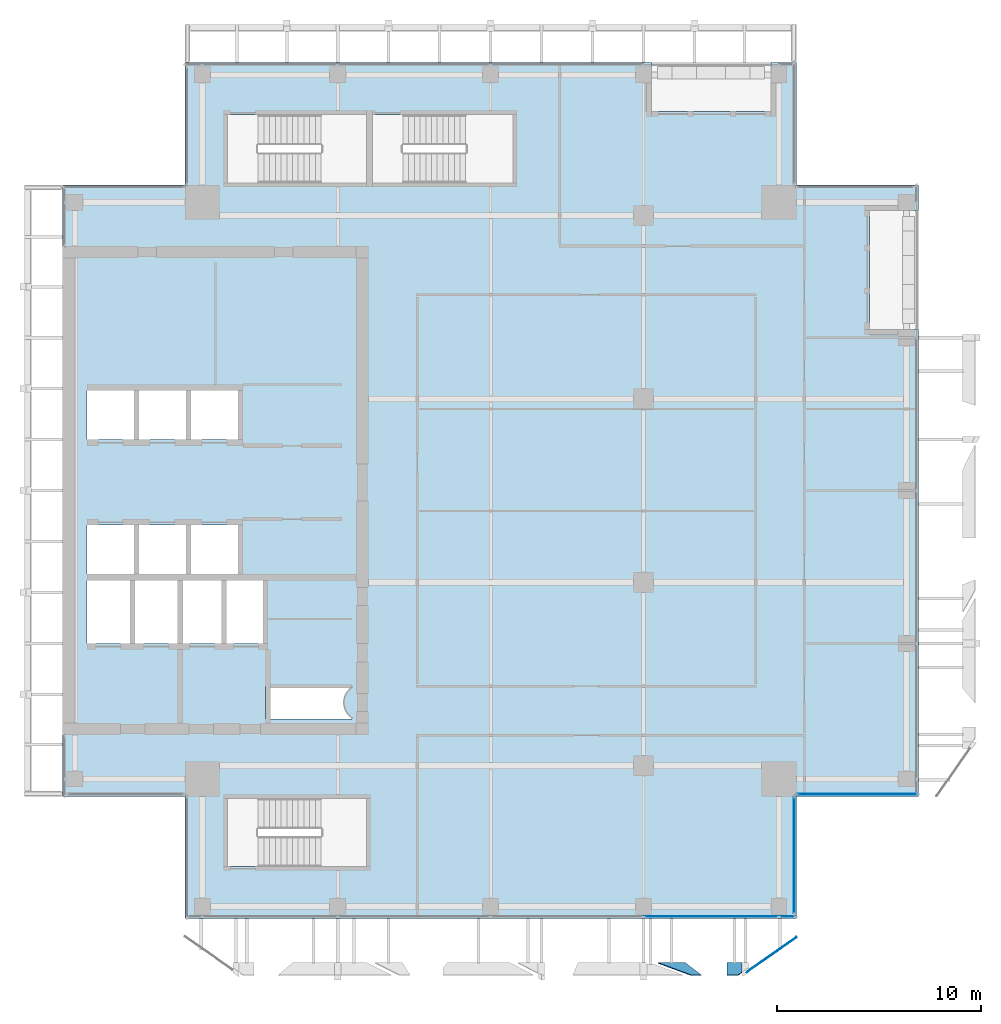
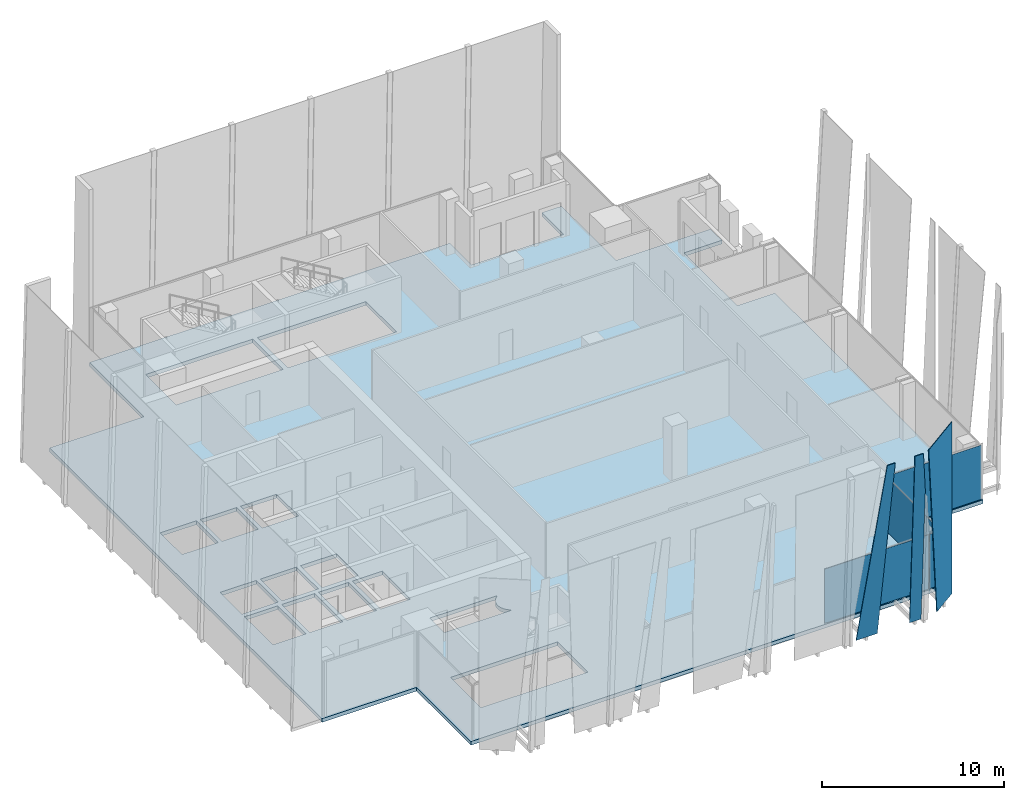
# One storey, part 22 of 32: 7 plates, 1 slab, 3 elements without a shape of their own.
"""IFC4 building model written with IfcOpenShell, lengths in metres."""

from ifc_helpers import new_model, si_unit, direction, frame, origin, origin_2d, place, context, subcontext, project, spatial, polyline, rectangle, outline, extrude, source, transform, mapped, material, layer, layer_set, type_object, element, aggregate, save


model = new_model("IFC4")

# Units and contexts
model_context = context("Model", 3, precision=1e-05, world=origin(), true_north=direction((0.0, 1.0)))
body_context = subcontext(model_context, "Body", "Model", "MODEL_VIEW")
ifc_project = project(units=[si_unit("LENGTHUNIT", "METRE"), si_unit("AREAUNIT", "SQUARE_METRE"), si_unit("VOLUMEUNIT", "CUBIC_METRE"), si_unit("PLANEANGLEUNIT", "RADIAN"), si_unit("MASSUNIT", "GRAM", prefix="KILO")], contexts=[model_context])

# Site, building, storey
site_placement = place(None, origin())
site = spatial("IfcSite", under=ifc_project, at=site_placement, CompositionType="ELEMENT")
building_placement = place(site_placement, origin())
building = spatial("IfcBuilding", under=site, at=building_placement, Name="Khomas Fold Tower", CompositionType="ELEMENT")
storey_placement = place(building_placement, frame((0.0, 0.0, 306.199951171875)))
storey = spatial("IfcBuildingStorey", under=building, at=storey_placement, Name="L69", CompositionType="ELEMENT", Elevation=306.199951171875)

# Plates
ifc_material_1 = material(Name="Clear laminated glass", Category="glass")
ifc_layer_1 = layer(ifc_material_1, 0.0400390625)
ifc_layer_set_1 = layer_set([ifc_layer_1], Name="Clear laminated glass")
plate_type_1 = type_object("IfcPlateType", Name="SK-Clear laminated glass leaf", PredefinedType="SHEET", material=ifc_layer_set_1)
plate_1_placement = place(storey_placement, frame((36.549560546875, 3.84228515625, 0.0), z_axis=(0.0, 0.99862882819, 0.052349436554), x_axis=(-1.0, 0.0, 0.0)))
element("IfcPlate", 1, at=plate_1_placement, inside=storey, type_object=plate_type_1, Name="OUTER SKIN glass L69 SG103-11", PredefinedType="SHEET", context=body_context, shape_type="SweptSolid", body=[
    extrude(outline(polyline([(0.0, 0.0), (1.34765625, 0.0), (-0.28857421875, 11.565907674683308), (-0.7939453125, 11.565907674683308), (0.0, 0.0)])), origin(), (0.0, 0.0, -1.0), 0.0400390625),
])
plate_2_placement = place(storey_placement, frame((39.330078125, 3.37451171875, 8.92578125), z_axis=(-9.0146168e-05, 0.99862890442, 0.052347904736), x_axis=(-1.148e-09, 0.052347904948, -0.998628908478)))
element("IfcPlate", 2, at=plate_2_placement, inside=storey, type_object=plate_type_1, Name="OUTER SKIN glass L69 SG103-15", PredefinedType="SHEET", context=body_context, shape_type="SweptSolid", body=[
    extrude(outline(polyline([(0.0, 0.0), (8.93803014644253, 6.776263578034403e-21), (8.938030147280891, 0.7299804657839682), (-2.6278775273888146, 0.7299804806661305), (-2.627877528001182, 0.19677735783262326), (0.0, 0.0)])), origin(), (0.0, 0.0, -1.0), 0.0400390625),
])
plate_3_placement = place(storey_placement, frame((40.423583984375, 3.949462890625, 0.0), z_axis=(0.572778226267, -0.819710377789, 7.693023e-06), x_axis=(-0.074700933915, -0.052188441883, 0.995839413262)))
element("IfcPlate", 3, at=plate_3_placement, inside=storey, type_object=plate_type_1, Name="OUTER SKIN glass L69 SG104-17", PredefinedType="SHEET", context=body_context, shape_type="SweptSolid", body=[
    extrude(outline(polyline([(0.0, 0.0), (11.598304581031584, 0.0), (11.32419001391444, -2.995582875794355), (-0.17780383423311374, -1.9430785093652352), (0.0, 0.0)])), origin(), (0.0, 0.0, -1.0), 0.0400390625),
])

# Slab
ifc_material_2 = material(Name="Concrete C40/50", Category="concrete")
ifc_layer_2 = layer(ifc_material_2, 0.25)
ifc_layer_set_2 = layer_set([ifc_layer_2], Name="Concrete C40/50")
slab_type = type_object("IfcSlabType", Name="RC floor slab 250", PredefinedType="FLOOR", material=ifc_layer_set_2)
shared_shape_1 = source(origin(), body_context, "Body", "SweptSolid", [
    extrude(outline(polyline([(6.0, 12.0), (12.0, 12.0), (12.0, 6.0), (42.0, 6.0), (42.0, 12.0), (48.0, 12.0), (48.0, 34.89990234375), (45.60009765625, 34.89990234375), (45.60009765625, 40.75), (48.0, 40.75), (48.0, 42.0), (42.0, 42.0), (42.0, 48.0), (40.75, 48.0), (40.75, 45.60009765625), (34.89990234375, 45.60009765625), (34.89990234375, 48.0), (12.0, 48.0), (12.0, 42.0), (6.0, 42.0), (6.0, 12.0)]), holes=[polyline([(7.199951171875, 19.5), (7.199951171875, 22.60009765625), (9.300048828125, 22.60009765625), (9.300048828125, 19.5), (7.199951171875, 19.5)]), polyline([(7.199951171875, 22.89990234375), (7.199951171875, 25.300048828125), (9.5, 25.300048828125), (9.5, 22.89990234375), (7.199951171875, 22.89990234375)]), polyline([(7.199951171875, 29.5), (7.199951171875, 31.89990234375), (9.5, 31.89990234375), (9.5, 29.5), (7.199951171875, 29.5)]), polyline([(9.550048828125, 19.5), (9.550048828125, 22.60009765625), (11.64990234375, 22.60009765625), (11.64990234375, 19.5), (9.550048828125, 19.5)]), polyline([(9.75, 22.89990234375), (9.75, 25.300048828125), (12.050048828125, 25.300048828125), (12.050048828125, 22.89990234375), (9.75, 22.89990234375)]), polyline([(9.75, 29.5), (9.75, 31.89990234375), (12.050048828125, 31.89990234375), (12.050048828125, 29.5), (9.75, 29.5)]), polyline([(11.89990234375, 19.5), (11.89990234375, 22.60009765625), (13.800048828125, 22.60009765625), (13.800048828125, 19.5), (11.89990234375, 19.5)]), polyline([(12.300048828125, 22.89990234375), (12.300048828125, 25.300048828125), (14.60009765625, 25.300048828125), (14.60009765625, 22.89990234375), (12.300048828125, 22.89990234375)]), polyline([(12.300048828125, 29.5), (12.300048828125, 31.89990234375), (14.60009765625, 31.89990234375), (14.60009765625, 29.5), (12.300048828125, 29.5)]), polyline([(14.050048828125, 19.5), (14.050048828125, 22.60009765625), (15.949951171875, 22.60009765625), (15.949951171875, 19.5), (14.050048828125, 19.5)]), polyline([(14.10009765625, 8.550048828125), (14.10009765625, 11.89990234375), (20.89990234375, 11.89990234375), (20.89990234375, 8.550048828125), (14.10009765625, 8.550048828125)]), polyline([(14.10009765625, 42.10009765625), (14.10009765625, 45.449951171875), (20.89990234375, 45.449951171875), (20.89990234375, 42.10009765625), (14.10009765625, 42.10009765625)]), polyline([(15.949951171875, 15.800048828125), (15.949951171875, 17.39990234375), (20.199951171875, 17.39990234375), (20.199951171875, 17.348388671875), (20.199951171875, 17.348388671875), (20.12890625, 17.295654296875), (20.063720703125, 17.236328125), (20.00439453125, 17.1708984375), (19.95166015625, 17.10009765625), (19.90625, 17.0244140625), (19.868408203125, 16.9443359375), (19.8388671875, 16.861328125), (19.8173828125, 16.775634765625), (19.80419921875, 16.688232421875), (19.800048828125, 16.60009765625), (19.80419921875, 16.51171875), (19.8173828125, 16.42431640625), (19.8388671875, 16.338623046875), (19.868408203125, 16.255615234375), (19.90625, 16.17578125), (19.95166015625, 16.10009765625), (20.00439453125, 16.029052734375), (20.063720703125, 15.963623046875), (20.12890625, 15.904296875), (20.199951171875, 15.851806640625), (20.199951171875, 15.851806640625), (20.199951171875, 15.800048828125), (15.949951171875, 15.800048828125)]), polyline([(21.199951171875, 42.10009765625), (21.199951171875, 45.449951171875), (28.10009765625, 45.449951171875), (28.10009765625, 42.10009765625), (21.199951171875, 42.10009765625)])]), origin(), (0.0, 0.0, 1.0), 0.25),
])
slab_placement = place(storey_placement, frame((0.0, 0.0, -0.25)))
element("IfcSlab", 4, at=slab_placement, inside=storey, type_object=slab_type, Name="S-L69", PredefinedType="FLOOR", context=body_context, shape_type="MappedRepresentation", body=[
    mapped(shared_shape_1, transform((0.0, 0.0, 0.0))),
])

# Curtain wall, plates
ifc_material_3 = material(Name="Aluminium framed double glazing", Category="aluminium")
curtain_wall_type = type_object("IfcCurtainWallType", Name="SK-Unitised clear-glass wall, upper floors CW3", PredefinedType="NOTDEFINED", material=ifc_material_3)
curtain_wall_1_placement = place(storey_placement, origin())
curtain_wall_1 = element("IfcCurtainWall", 5, at=curtain_wall_1_placement, inside=storey, type_object=curtain_wall_type, Name="CW3 run L69 00-0", PredefinedType="NOTDEFINED")
ifc_material_4 = material(Name="Clear double glazed unit")
ifc_layer_3 = layer(ifc_material_4, 0.028076171875)
ifc_layer_set_3 = layer_set([ifc_layer_3], Name="Clear double glazed unit")
plate_type_2 = type_object("IfcPlateType", Name="SK-Unitised clear-glass wall, upper floors glass panel CW3-P", PredefinedType="CURTAIN_PANEL", material=ifc_layer_set_3)
shared_shape_2 = source(origin(), body_context, "Body", "SweptSolid", [
    extrude(rectangle(XDim=6.60009765625, YDim=0.028076171875, at=origin_2d()), origin(), (0.0, 0.0, 1.0), 3.64990234375),
])
plate_4_placement = place(storey_placement, frame((37.824951171875, 6.10009765625, 0.0), z_axis=(0.0, 0.0, 1.0), x_axis=(1.0, 0.0, 0.0)))
plate_4 = element("IfcPlate", 6, at=plate_4_placement, type_object=plate_type_2, Name="CW3 glass panel 5", PredefinedType="CURTAIN_PANEL", context=body_context, shape_type="MappedRepresentation", body=[
    mapped(shared_shape_2, transform((0.0, 0.0, 0.0))),
])
shared_shape_3 = source(origin(), body_context, "Body", "SweptSolid", [
    extrude(rectangle(XDim=0.77490234375, YDim=0.028076171875, at=origin_2d()), origin(), (0.0, 0.0, 1.0), 3.64990234375),
])
plate_5_placement = place(storey_placement, frame((41.5625, 6.10009765625, 0.0), z_axis=(0.0, 0.0, 1.0), x_axis=(1.0, 0.0, 0.0)))
plate_5 = element("IfcPlate", 7, at=plate_5_placement, type_object=plate_type_2, Name="CW3 glass panel 6", PredefinedType="CURTAIN_PANEL", context=body_context, shape_type="MappedRepresentation", body=[
    mapped(shared_shape_3, transform((0.0, 0.0, 0.0))),
])
aggregate(curtain_wall_1, [plate_4, plate_5])

# Curtain wall, plate
curtain_wall_2_placement = place(storey_placement, origin())
curtain_wall_2 = element("IfcCurtainWall", 8, at=curtain_wall_2_placement, inside=storey, type_object=curtain_wall_type, Name="CW3 corner return L69 01", PredefinedType="NOTDEFINED")
shared_shape_4 = source(origin(), body_context, "Body", "SweptSolid", [
    extrude(rectangle(XDim=5.699951171875, YDim=0.028076171875, at=origin_2d()), origin(), (0.0, 0.0, 1.0), 3.64990234375),
])
plate_6_placement = place(storey_placement, frame((41.89990234375, 9.10009765625, 0.0), z_axis=(0.0, 0.0, 1.0), x_axis=(0.0, 1.0, 0.0)))
plate_6 = element("IfcPlate", 9, at=plate_6_placement, type_object=plate_type_2, Name="CW3 glass panel 1", PredefinedType="CURTAIN_PANEL", context=body_context, shape_type="MappedRepresentation", body=[
    mapped(shared_shape_4, transform((0.0, 0.0, 0.0))),
])
aggregate(curtain_wall_2, [plate_6])

curtain_wall_3_placement = place(storey_placement, origin())
curtain_wall_3 = element("IfcCurtainWall", 10, at=curtain_wall_3_placement, inside=storey, type_object=curtain_wall_type, Name="CW3 corner return L69 02", PredefinedType="NOTDEFINED")
shared_shape_5 = source(origin(), body_context, "Body", "SweptSolid", [
    extrude(rectangle(XDim=5.89990234375, YDim=0.028076171875, at=origin_2d()), origin(), (0.0, 0.0, 1.0), 3.64990234375),
])
plate_7_placement = place(storey_placement, frame((45.0, 12.10009765625, 0.0), z_axis=(0.0, 0.0, 1.0), x_axis=(1.0, 0.0, 0.0)))
plate_7 = element("IfcPlate", 11, at=plate_7_placement, type_object=plate_type_2, Name="CW3 glass panel 1", PredefinedType="CURTAIN_PANEL", context=body_context, shape_type="MappedRepresentation", body=[
    mapped(shared_shape_5, transform((0.0, 0.0, 0.0))),
])
aggregate(curtain_wall_3, [plate_7])

save(model, "model.ifc")
